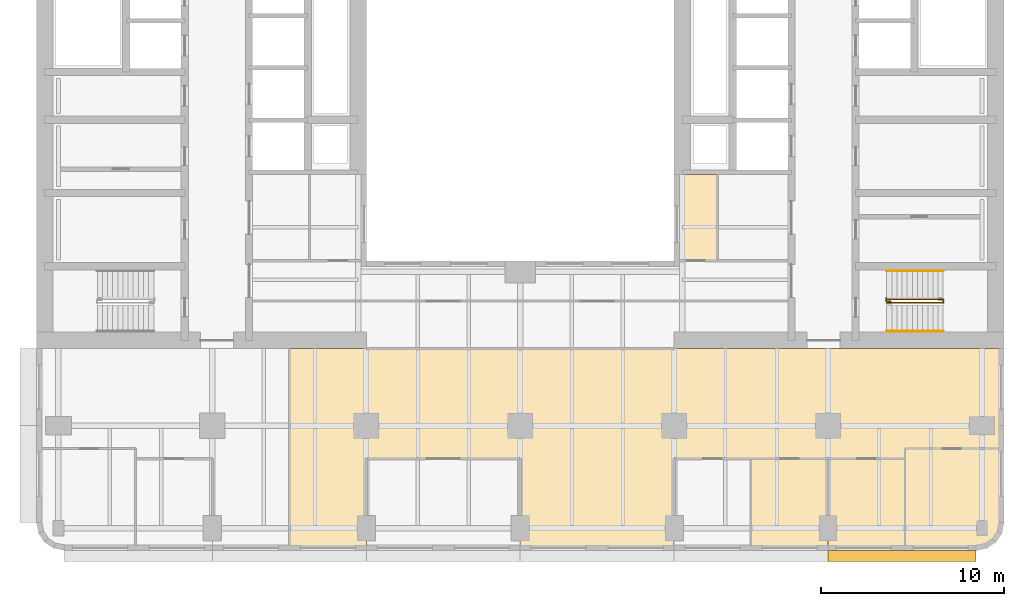
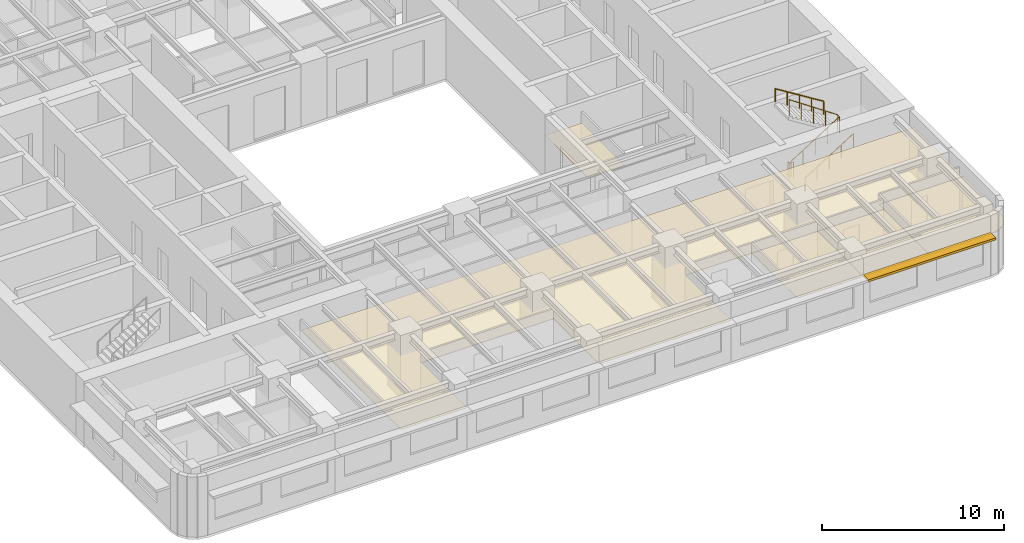
# One storey, part 10 of 11: 5 coverings, 4 railings, 1 shading device.
"""IFC4 building model written with IfcOpenShell, lengths in metres."""

from ifc_helpers import new_model, si_unit, direction, frame, origin, origin_2d, place, context, subcontext, project, spatial, polyline, rectangle, circle, outline, extrude, material, layer, layer_set, type_object, element, save


model = new_model("IFC4")

# Units and contexts
model_context = context("Model", 3, precision=1e-05, world=origin(), true_north=direction((0.0, 1.0)))
body_context = subcontext(model_context, "Body", "Model", "MODEL_VIEW")
ifc_project = project(units=[si_unit("LENGTHUNIT", "METRE"), si_unit("AREAUNIT", "SQUARE_METRE"), si_unit("VOLUMEUNIT", "CUBIC_METRE"), si_unit("PLANEANGLEUNIT", "RADIAN"), si_unit("MASSUNIT", "GRAM", prefix="KILO")], contexts=[model_context])

# Site, building, storey
site_placement = place(None, origin())
site = spatial("IfcSite", under=ifc_project, at=site_placement, CompositionType="ELEMENT")
building_placement = place(site_placement, origin())
building = spatial("IfcBuilding", under=site, at=building_placement, Name="Claustro Exchange Tower", CompositionType="ELEMENT")
storey_placement = place(building_placement, frame((0.0, 0.0, 130.199951171875)))
storey = spatial("IfcBuildingStorey", under=building, at=storey_placement, Name="L29", CompositionType="ELEMENT", Elevation=130.199951171875)

# Coverings
ifc_material_1 = material(Name="Gypsum board ceiling", Category="gypsum board")
ifc_layer_1 = layer(ifc_material_1, 0.02490234375)
ifc_layer_set_1 = layer_set([ifc_layer_1], Name="Gypsum board ceiling")
covering_type = type_object("IfcCoveringType", Name="CL2 plasterboard ceiling", PredefinedType="CEILING", material=ifc_layer_set_1)
covering_1_placement = place(storey_placement, frame((0.0, 0.0, 2.800048828125)))
element("IfcCovering", 1, at=covering_1_placement, inside=storey, type_object=covering_type, Name="Ceiling CL2 L29-04", PredefinedType="CEILING", context=body_context, shape_type="SweptSolid", body=[
    extrude(outline(polyline([(37.800048828125, 1.60009765625), (42.0, 1.60009765625), (42.0, 6.60009765625), (37.800048828125, 6.60009765625), (37.800048828125, 1.60009765625)])), origin(), (0.0, 0.0, 1.0), 0.02490234375),
])
covering_2_placement = place(storey_placement, frame((0.0, 0.0, 2.800048828125)))
element("IfcCovering", 2, at=covering_2_placement, inside=storey, type_object=covering_type, Name="Ceiling CL2 L29-05", PredefinedType="CEILING", context=body_context, shape_type="SweptSolid", body=[
    extrude(outline(polyline([(42.0, 1.60009765625), (46.199951171875, 1.60009765625), (46.199951171875, 6.60009765625), (42.0, 6.60009765625), (42.0, 1.60009765625)])), origin(), (0.0, 0.0, 1.0), 0.02490234375),
])
covering_3_placement = place(storey_placement, frame((0.0, 0.0, 2.800048828125)))
element("IfcCovering", 3, at=covering_3_placement, inside=storey, type_object=covering_type, Name="Ceiling CL2 L29-07", PredefinedType="CEILING", context=body_context, shape_type="SweptSolid", body=[
    extrude(outline(polyline([(51.60009765625, 3.10009765625), (51.60009765625, 7.14990234375), (46.199951171875, 7.14990234375), (46.199951171875, 1.60009765625), (50.10009765625, 1.60009765625), (50.674072265625, 1.714111328125), (51.16064453125, 2.039306640625), (51.48583984375, 2.52587890625), (51.60009765625, 3.10009765625)])), origin(), (0.0, 0.0, 1.0), 0.02490234375),
])
covering_4_placement = place(storey_placement, frame((0.0, 0.0, 2.800048828125)))
element("IfcCovering", 4, at=covering_4_placement, inside=storey, type_object=covering_type, Name="Ceiling CL2 L29-08", PredefinedType="CEILING", context=body_context, shape_type="SweptSolid", body=[
    extrude(outline(polyline([(51.60009765625, 12.60009765625), (39.800048828125, 12.60009765625), (12.60009765625, 12.60009765625), (12.60009765625, 1.60009765625), (16.800048828125, 1.60009765625), (16.800048828125, 6.60009765625), (25.199951171875, 6.60009765625), (25.199951171875, 1.60009765625), (33.60009765625, 1.60009765625), (33.60009765625, 6.60009765625), (37.800048828125, 6.60009765625), (42.0, 6.60009765625), (46.199951171875, 6.60009765625), (46.199951171875, 7.14990234375), (51.60009765625, 7.14990234375), (51.60009765625, 12.60009765625)])), origin(), (0.0, 0.0, 1.0), 0.02490234375),
])
covering_5_placement = place(storey_placement, frame((0.0, 0.0, 2.800048828125)))
element("IfcCovering", 5, at=covering_5_placement, inside=storey, type_object=covering_type, Name="Ceiling CL2 L29-14", PredefinedType="CEILING", context=body_context, shape_type="SweptSolid", body=[
    extrude(outline(polyline([(35.9560546875, 17.39990234375), (35.9560546875, 22.10009765625), (33.60009765625, 22.10009765625), (33.60009765625, 17.39990234375), (35.9560546875, 17.39990234375)])), origin(), (0.0, 0.0, 1.0), 0.02490234375),
])

# Railings
ifc_material_2 = material(Name="Steel balustrade, painted", Category="steel")
railing_type_1 = type_object("IfcRailingType", Name="GR2 1100 steel stair guard", PredefinedType="GUARDRAIL", material=ifc_material_2)
railing_1_placement = place(storey_placement, frame((45.199951171875, 15.10009765625, 0.175048828125)))
element("IfcRailing", 6, at=railing_1_placement, inside=storey, type_object=railing_type_1, Name="Stair well guard GR2 stair STEA L29", PredefinedType="GUARDRAIL", context=body_context, shape_type="SweptSolid", body=[
    extrude(circle(Radius=0.02392578125, at=origin_2d()), frame((0.0, 0.0, 1.076171875), z_axis=(0.847998304005, 0.0, 0.529998940003), x_axis=(0.0, 1.0, 0.0)), (0.0, 0.0, 1.0), 3.632080078125),
    extrude(circle(Radius=0.02392578125, at=origin_2d()), frame((3.080078125, 0.0, 3.0009765625), z_axis=(0.0, 1.0, 0.0), x_axis=(-1.0, 0.0, 0.0)), (0.0, 0.0, 1.0), 0.199951171875),
    extrude(circle(Radius=0.02392578125, at=origin_2d()), frame((3.080078125, 0.199951171875, 3.0009765625), z_axis=(-0.826252282691, 0.0, 0.563300244406), x_axis=(0.0, -1.0, 0.0)), (0.0, 0.0, 1.0), 3.727783203125),
    extrude(circle(Radius=0.02099609375, at=origin_2d()), origin(), (0.0, 0.0, 1.0), 1.052001953125),
    extrude(circle(Radius=0.02099609375, at=origin_2d()), frame((0.77001953125, 0.0, 0.481201171875)), (0.0, 0.0, 1.0), 1.052001953125),
    extrude(circle(Radius=0.02099609375, at=origin_2d()), frame((1.5400390625, 0.0, 0.96240234375)), (0.0, 0.0, 1.0), 1.052001953125),
    extrude(circle(Radius=0.02099609375, at=origin_2d()), frame((2.31005859375, 0.0, 1.44384765625)), (0.0, 0.0, 1.0), 1.052001953125),
    extrude(circle(Radius=0.02099609375, at=origin_2d()), frame((3.080078125, 0.0, 1.925048828125)), (0.0, 0.0, 1.0), 1.052001953125),
    extrude(circle(Radius=0.02099609375, at=origin_2d()), frame((3.080078125, 0.199951171875, 1.925048828125)), (0.0, 0.0, 1.0), 1.052001953125),
    extrude(circle(Radius=0.02099609375, at=origin_2d()), frame((2.31005859375, 0.199951171875, 2.449951171875)), (0.0, 0.0, 1.0), 1.052001953125),
    extrude(circle(Radius=0.02099609375, at=origin_2d()), frame((1.5400390625, 0.199951171875, 2.97509765625)), (0.0, 0.0, 1.0), 1.052001953125),
    extrude(circle(Radius=0.02099609375, at=origin_2d()), frame((0.77001953125, 0.199951171875, 3.5)), (0.0, 0.0, 1.0), 1.052001953125),
    extrude(circle(Radius=0.02099609375, at=origin_2d()), frame((0.0, 0.199951171875, 4.02490234375)), (0.0, 0.0, 1.0), 1.052001953125),
])
railing_2_placement = place(storey_placement, frame((45.39990234375, 15.169921875, 0.0)))
element("IfcRailing", 7, at=railing_2_placement, inside=storey, type_object=railing_type_1, Name="Stair guard GR2 STEA L29", PredefinedType="GUARDRAIL", context=body_context, shape_type="SweptSolid", body=[
    extrude(circle(Radius=0.02392578125, at=origin_2d()), frame((0.0, 0.0, 1.076171875), z_axis=(0.0, 1.0, 0.0), x_axis=(-1.0, 0.0, 0.0)), (0.0, 0.0, 1.0), 0.030029296875),
    extrude(circle(Radius=0.02392578125, at=origin_2d()), frame((0.0, 0.030029296875, 1.076171875), z_axis=(-1.0, 0.0, 0.0), x_axis=(0.0, -1.0, 0.0)), (0.0, 0.0, 1.0), 0.224853515625),
    extrude(circle(Radius=0.02392578125, at=origin_2d()), frame((-0.224853515625, 0.030029296875, 1.076171875), z_axis=(0.0, 1.0, 0.0), x_axis=(-1.0, 0.0, 0.0)), (0.0, 0.0, 1.0), 0.179931640625),
    extrude(circle(Radius=0.02099609375, at=origin_2d()), origin(), (0.0, 0.0, 1.0), 1.052001953125),
    extrude(circle(Radius=0.02099609375, at=origin_2d()), frame((0.0, 0.030029296875, 0.0)), (0.0, 0.0, 1.0), 1.052001953125),
    extrude(circle(Radius=0.02099609375, at=origin_2d()), frame((-0.224853515625, 0.030029296875, 0.0)), (0.0, 0.0, 1.0), 1.052001953125),
    extrude(circle(Radius=0.02099609375, at=origin_2d()), frame((-0.224853515625, 0.2099609375, 0.0)), (0.0, 0.0, 1.0), 1.052001953125),
])
ifc_material_3 = material(Name="Stainless steel tube", Category="steel")
railing_type_2 = type_object("IfcRailingType", Name="HR1 900 stair handrail", PredefinedType="HANDRAIL", material=ifc_material_3)
railing_3_placement = place(storey_placement, frame((45.199951171875, 13.56005859375, 0.175048828125)))
element("IfcRailing", 8, at=railing_3_placement, inside=storey, type_object=railing_type_2, Name="Handrail HR1 stair STEA L29", PredefinedType="HANDRAIL", context=body_context, shape_type="SweptSolid", body=[
    extrude(circle(Radius=0.02392578125, at=origin_2d()), frame((0.0, 0.0, 0.8759765625), z_axis=(0.847998304005, 0.0, 0.529998940003), x_axis=(0.0, 1.0, 0.0)), (0.0, 0.0, 1.0), 3.632080078125),
    extrude(circle(Radius=0.02099609375, at=origin_2d()), origin(), (0.0, 0.0, 1.0), 0.851806640625),
    extrude(circle(Radius=0.02099609375, at=origin_2d()), frame((0.77001953125, 0.0, 0.481201171875)), (0.0, 0.0, 1.0), 0.851806640625),
    extrude(circle(Radius=0.02099609375, at=origin_2d()), frame((1.5400390625, 0.0, 0.96240234375)), (0.0, 0.0, 1.0), 0.851806640625),
    extrude(circle(Radius=0.02099609375, at=origin_2d()), frame((2.31005859375, 0.0, 1.44384765625)), (0.0, 0.0, 1.0), 0.851806640625),
    extrude(circle(Radius=0.02099609375, at=origin_2d()), frame((3.080078125, 0.0, 1.925048828125)), (0.0, 0.0, 1.0), 0.851806640625),
])
railing_4_placement = place(storey_placement, frame((48.280029296875, 16.840087890625, 2.275146484375)))
element("IfcRailing", 9, at=railing_4_placement, inside=storey, type_object=railing_type_2, Name="Handrail HR1 stair STEA L29", PredefinedType="HANDRAIL", context=body_context, shape_type="SweptSolid", body=[
    extrude(circle(Radius=0.02392578125, at=origin_2d()), frame((0.0, 0.0, 0.8759765625), z_axis=(-0.848028513186, 0.0, 0.529950602248), x_axis=(0.0, -1.0, 0.0)), (0.0, 0.0, 1.0), 3.632080078125),
    extrude(circle(Radius=0.02099609375, at=origin_2d()), origin(), (0.0, 0.0, 1.0), 0.851806640625),
    extrude(circle(Radius=0.02099609375, at=origin_2d()), frame((-0.77001953125, 0.0, 0.481201171875)), (0.0, 0.0, 1.0), 0.851806640625),
    extrude(circle(Radius=0.02099609375, at=origin_2d()), frame((-1.5400390625, 0.0, 0.96240234375)), (0.0, 0.0, 1.0), 0.851806640625),
    extrude(circle(Radius=0.02099609375, at=origin_2d()), frame((-2.31005859375, 0.0, 1.443603515625)), (0.0, 0.0, 1.0), 0.851806640625),
    extrude(circle(Radius=0.02099609375, at=origin_2d()), frame((-3.080078125, 0.0, 1.9248046875)), (0.0, 0.0, 1.0), 0.851806640625),
])

# Shading device
ifc_material_4 = material(Name="Concrete HA-40 (C40/50), precast, white cement, acid-etched", Category="concrete")
ifc_layer_2 = layer(ifc_material_4, 0.14990234375)
ifc_layer_set_2 = layer_set([ifc_layer_2], Name="Concrete HA-40 (C40/50), precast, white cement, acid-etched")
shading_device_type = type_object("IfcShadingDeviceType", Name="SS1 600 precast concrete SUNSHADE", PredefinedType="SHUTTER", material=ifc_layer_set_2)
shading_device_placement = place(storey_placement, frame((46.04248046875, 1.300048828125, 2.800048828125), z_axis=(0.0, 0.0, 1.0), x_axis=(-1.0, 0.0, 0.0)))
element("IfcShadingDevice", 10, at=shading_device_placement, inside=storey, type_object=shading_device_type, Name="Precast SUNSHADE SS1 L29", PredefinedType="SHUTTER", context=body_context, shape_type="SweptSolid", body=[
    extrude(rectangle(XDim=8.085205078125, YDim=0.60009765625, at=origin_2d()), origin(), (0.0, 0.0, 1.0), 0.14990234375),
])

save(model, "model.ifc")
